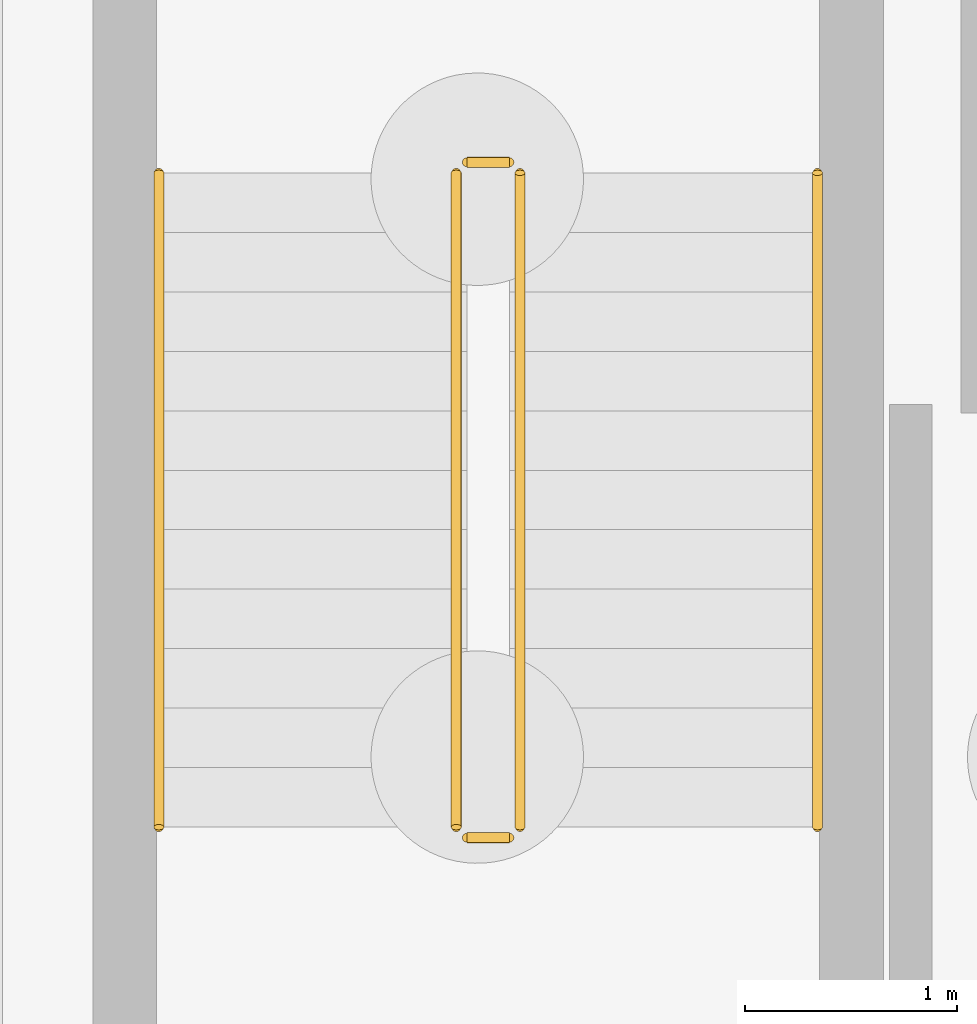
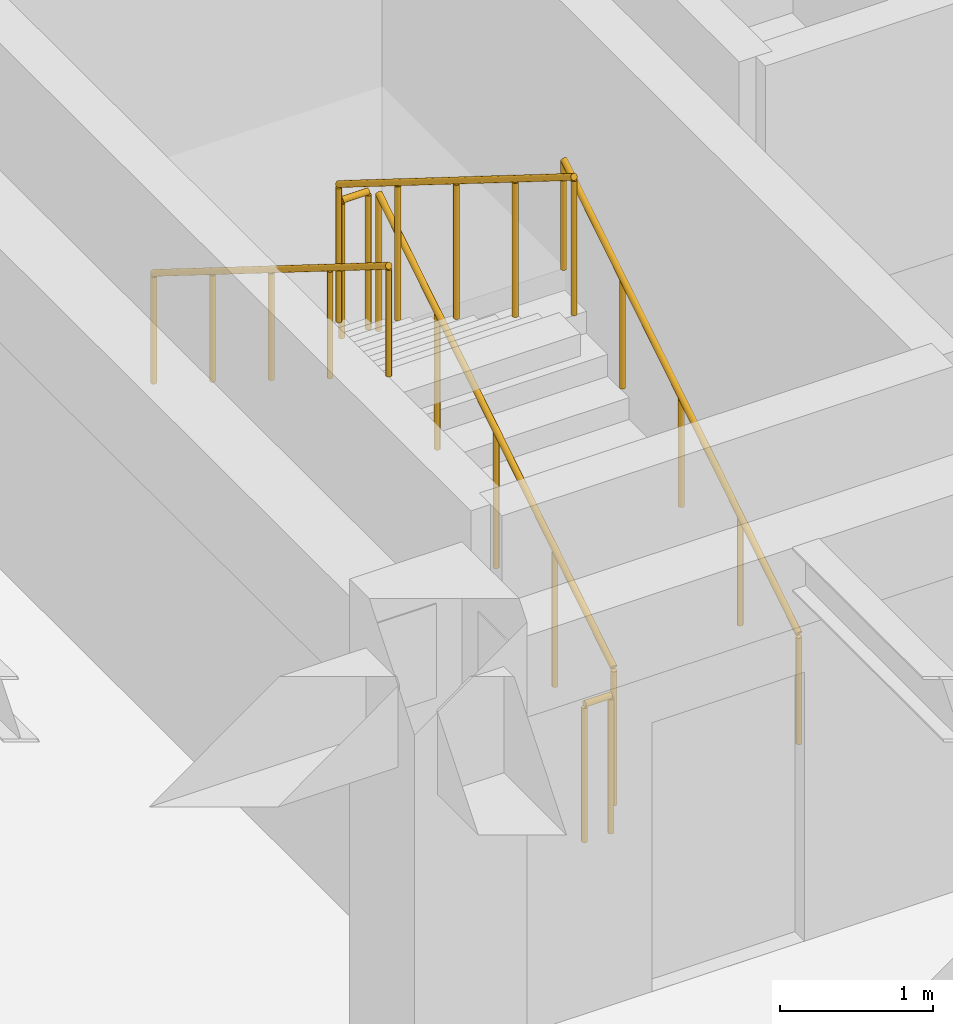
# One storey, part 22 of 25: 6 railings.
"""IFC4 building model written with IfcOpenShell, lengths in metres."""

from ifc_helpers import new_model, si_unit, direction, frame, origin, origin_2d, place, context, subcontext, project, spatial, circle, extrude, material, type_object, element, save


model = new_model("IFC4")

# Units and contexts
model_context = context("Model", 3, precision=1e-05, world=origin(), true_north=direction((0.0, 1.0)))
body_context = subcontext(model_context, "Body", "Model", "MODEL_VIEW")
ifc_project = project(units=[si_unit("LENGTHUNIT", "METRE"), si_unit("AREAUNIT", "SQUARE_METRE"), si_unit("VOLUMEUNIT", "CUBIC_METRE"), si_unit("PLANEANGLEUNIT", "RADIAN"), si_unit("MASSUNIT", "GRAM", prefix="KILO")], contexts=[model_context])

# Site, building, storey
site_placement = place(None, origin())
site = spatial("IfcSite", under=ifc_project, at=site_placement, CompositionType="ELEMENT")
building_placement = place(site_placement, origin())
building = spatial("IfcBuilding", under=site, at=building_placement, Name="Tlaxcora Railside Police Headquarters", CompositionType="ELEMENT")
storey_placement = place(building_placement, frame((0.0, 0.0, -4.199951171875)))
storey = spatial("IfcBuildingStorey", under=building, at=storey_placement, Name="B1", CompositionType="ELEMENT", Elevation=-4.199951171875)

# Railings
ifc_material = material(Name="Steel ASTM A992 Grade 50", Category="steel")
railing_type_1 = type_object("IfcRailingType", Name="Stair Well Guard Balustrade GR-02", PredefinedType="BALUSTRADE", material=ifc_material)
railing_1_placement = place(storey_placement, frame((72.659912109375, 87.110107421875, 0.175048828125)))
element("IfcRailing", 1, at=railing_1_placement, inside=storey, type_object=railing_type_1, Name="B1 ST2 stair guard 1", PredefinedType="BALUSTRADE", context=body_context, shape_type="SweptSolid", body=[
    extrude(circle(Radius=0.02392578125, at=origin_2d()), frame((0.0, 0.0, 1.09619140625), z_axis=(0.0, 0.848009633417, 0.529980812513), x_axis=(-1.0, 0.0, 0.0)), (0.0, 0.0, 1.0), 3.6318359375),
    extrude(circle(Radius=0.02099609375, at=origin_2d()), origin(), (0.0, 0.0, 1.0), 1.072021484375),
    extrude(circle(Radius=0.02099609375, at=origin_2d()), frame((0.0, 0.77001953125, 0.481201171875)), (0.0, 0.0, 1.0), 1.072021484375),
    extrude(circle(Radius=0.02099609375, at=origin_2d()), frame((0.0, 1.5400390625, 0.96240234375)), (0.0, 0.0, 1.0), 1.072021484375),
    extrude(circle(Radius=0.02099609375, at=origin_2d()), frame((0.0, 2.309814453125, 1.443603515625)), (0.0, 0.0, 1.0), 1.072021484375),
    extrude(circle(Radius=0.02099609375, at=origin_2d()), frame((0.0, 3.079833984375, 1.9248046875)), (0.0, 0.0, 1.0), 1.072021484375),
])
railing_2_placement = place(storey_placement, frame((72.610107421875, 90.239990234375, 2.099853515625)))
element("IfcRailing", 2, at=railing_2_placement, inside=storey, type_object=railing_type_1, Name="B1 ST2 stair guard 2", PredefinedType="BALUSTRADE", context=body_context, shape_type="SweptSolid", body=[
    extrude(circle(Radius=0.02392578125, at=origin_2d()), frame((0.0, 0.0, 1.09619140625), z_axis=(-1.0, 0.0, 0.0), x_axis=(0.0, -1.0, 0.0)), (0.0, 0.0, 1.0), 0.2001953125),
    extrude(circle(Radius=0.02099609375, at=origin_2d()), origin(), (0.0, 0.0, 1.0), 1.072021484375),
    extrude(circle(Radius=0.02099609375, at=origin_2d()), frame((-0.2001953125, 0.0, 0.0)), (0.0, 0.0, 1.0), 1.072021484375),
])
railing_3_placement = place(storey_placement, frame((72.360107421875, 90.18994140625, 2.27490234375)))
element("IfcRailing", 3, at=railing_3_placement, inside=storey, type_object=railing_type_1, Name="B1 ST2 stair guard 3", PredefinedType="BALUSTRADE", context=body_context, shape_type="SweptSolid", body=[
    extrude(circle(Radius=0.02392578125, at=origin_2d()), frame((0.0, 0.0, 1.09619140625), z_axis=(0.0, -0.847979421464, 0.530029150871), x_axis=(1.0, 0.0, 0.0)), (0.0, 0.0, 1.0), 3.632080078125),
    extrude(circle(Radius=0.02099609375, at=origin_2d()), origin(), (0.0, 0.0, 1.0), 1.072021484375),
    extrude(circle(Radius=0.02099609375, at=origin_2d()), frame((0.0, -0.77001953125, 0.481201171875)), (0.0, 0.0, 1.0), 1.072021484375),
    extrude(circle(Radius=0.02099609375, at=origin_2d()), frame((0.0, -1.5400390625, 0.96240234375)), (0.0, 0.0, 1.0), 1.072021484375),
    extrude(circle(Radius=0.02099609375, at=origin_2d()), frame((0.0, -2.309814453125, 1.44384765625)), (0.0, 0.0, 1.0), 1.072021484375),
    extrude(circle(Radius=0.02099609375, at=origin_2d()), frame((0.0, -3.079833984375, 1.925048828125)), (0.0, 0.0, 1.0), 1.072021484375),
])
railing_4_placement = place(storey_placement, frame((72.610107421875, 87.06005859375, 0.0)))
element("IfcRailing", 4, at=railing_4_placement, inside=storey, type_object=railing_type_1, Name="B1 ST2 stair guard 4", PredefinedType="BALUSTRADE", context=body_context, shape_type="SweptSolid", body=[
    extrude(circle(Radius=0.02392578125, at=origin_2d()), frame((0.0, 0.0, 1.09619140625), z_axis=(-1.0, 0.0, 0.0), x_axis=(0.0, -1.0, 0.0)), (0.0, 0.0, 1.0), 0.2001953125),
    extrude(circle(Radius=0.02099609375, at=origin_2d()), origin(), (0.0, 0.0, 1.0), 1.072021484375),
    extrude(circle(Radius=0.02099609375, at=origin_2d()), frame((-0.2001953125, 0.0, 0.0)), (0.0, 0.0, 1.0), 1.072021484375),
])
railing_type_2 = type_object("IfcRailingType", Name="Stair and Ramp Handrail HR-01", PredefinedType="HANDRAIL", material=ifc_material)
railing_5_placement = place(storey_placement, frame((74.06005859375, 87.110107421875, 0.175048828125)))
element("IfcRailing", 5, at=railing_5_placement, inside=storey, type_object=railing_type_2, Name="B1 ST2 stair handrail 1", PredefinedType="HANDRAIL", context=body_context, shape_type="SweptSolid", body=[
    extrude(circle(Radius=0.02392578125, at=origin_2d()), frame((0.0, 0.0, 0.8759765625), z_axis=(0.0, 0.848009633417, 0.529980812513), x_axis=(-1.0, 0.0, 0.0)), (0.0, 0.0, 1.0), 3.6318359375),
    extrude(circle(Radius=0.02099609375, at=origin_2d()), origin(), (0.0, 0.0, 1.0), 0.851806640625),
    extrude(circle(Radius=0.02099609375, at=origin_2d()), frame((0.0, 0.77001953125, 0.481201171875)), (0.0, 0.0, 1.0), 0.851806640625),
    extrude(circle(Radius=0.02099609375, at=origin_2d()), frame((0.0, 1.5400390625, 0.96240234375)), (0.0, 0.0, 1.0), 0.851806640625),
    extrude(circle(Radius=0.02099609375, at=origin_2d()), frame((0.0, 2.309814453125, 1.443603515625)), (0.0, 0.0, 1.0), 0.851806640625),
    extrude(circle(Radius=0.02099609375, at=origin_2d()), frame((0.0, 3.079833984375, 1.9248046875)), (0.0, 0.0, 1.0), 0.851806640625),
])
railing_6_placement = place(storey_placement, frame((70.9599609375, 90.18994140625, 2.27490234375)))
element("IfcRailing", 6, at=railing_6_placement, inside=storey, type_object=railing_type_2, Name="B1 ST2 stair handrail 2", PredefinedType="HANDRAIL", context=body_context, shape_type="SweptSolid", body=[
    extrude(circle(Radius=0.02392578125, at=origin_2d()), frame((0.0, 0.0, 0.8759765625), z_axis=(0.0, -0.847979421464, 0.530029150871), x_axis=(1.0, 0.0, 0.0)), (0.0, 0.0, 1.0), 3.632080078125),
    extrude(circle(Radius=0.02099609375, at=origin_2d()), origin(), (0.0, 0.0, 1.0), 0.851806640625),
    extrude(circle(Radius=0.02099609375, at=origin_2d()), frame((0.0, -0.77001953125, 0.481201171875)), (0.0, 0.0, 1.0), 0.851806640625),
    extrude(circle(Radius=0.02099609375, at=origin_2d()), frame((0.0, -1.5400390625, 0.96240234375)), (0.0, 0.0, 1.0), 0.851806640625),
    extrude(circle(Radius=0.02099609375, at=origin_2d()), frame((0.0, -2.309814453125, 1.44384765625)), (0.0, 0.0, 1.0), 0.851806640625),
    extrude(circle(Radius=0.02099609375, at=origin_2d()), frame((0.0, -3.079833984375, 1.925048828125)), (0.0, 0.0, 1.0), 0.851806640625),
])

save(model, "model.ifc")
